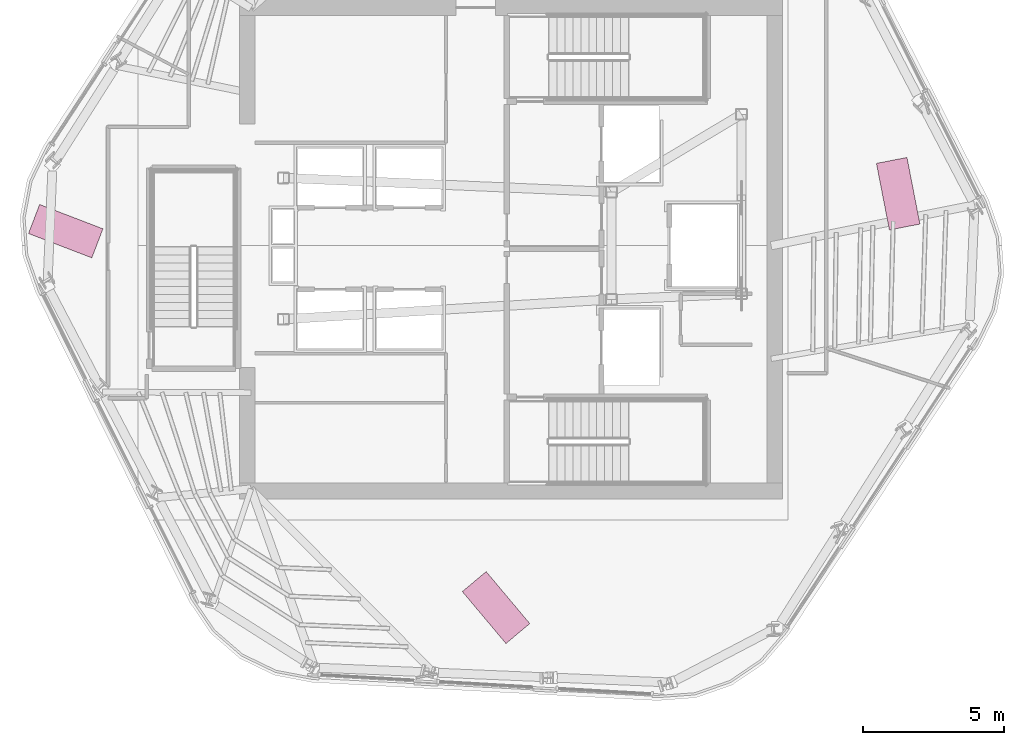
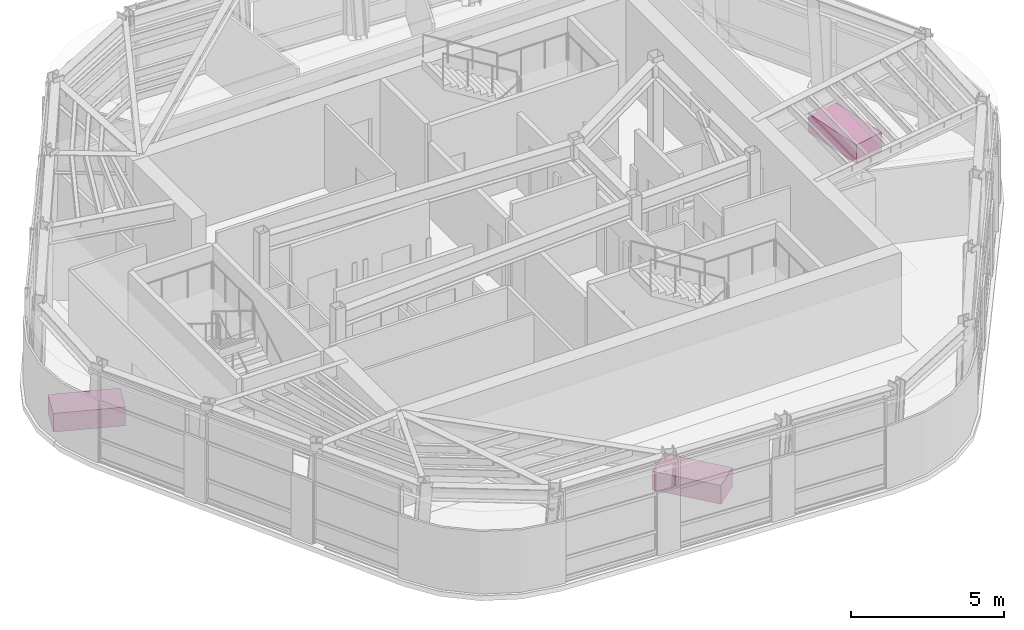
# One storey, part 13 of 13: 3 furniture elements.
"""IFC4 building model written with IfcOpenShell, lengths in metres."""

from ifc_helpers import new_model, si_unit, direction, frame, origin, origin_2d, place, context, subcontext, project, spatial, rectangle, extrude, material, type_object, element, save


model = new_model("IFC4")

# Units and contexts
model_context = context("Model", 3, precision=1e-05, world=origin(), true_north=direction((0.0, 1.0)))
body_context = subcontext(model_context, "Body", "Model", "MODEL_VIEW")
ifc_project = project(units=[si_unit("LENGTHUNIT", "METRE"), si_unit("AREAUNIT", "SQUARE_METRE"), si_unit("VOLUMEUNIT", "CUBIC_METRE"), si_unit("PLANEANGLEUNIT", "RADIAN"), si_unit("MASSUNIT", "GRAM", prefix="KILO")], contexts=[model_context])

# Site, building, storey
site_placement = place(None, origin())
site = spatial("IfcSite", under=ifc_project, at=site_placement, CompositionType="ELEMENT")
building_placement = place(site_placement, origin())
building = spatial("IfcBuilding", under=site, at=building_placement, Name="Valkerne Bourse Tower", CompositionType="ELEMENT")
storey_placement = place(building_placement, frame((0.0, 0.0, 269.800048828125)))
storey = spatial("IfcBuildingStorey", under=building, at=storey_placement, Name="L68", CompositionType="ELEMENT", Elevation=269.800048828125)

# Furniture
ifc_material = material(Name="Architectural White Oak Timber", Category="wood")
furniture_type = type_object("IfcFurnitureType", Name="FURN-DESK-2400", AssemblyPlace="NOTDEFINED", PredefinedType="DESK", material=ifc_material)
for number, where, z_axis, x_axis, name in (
    (1, (60.493896484375, 28.839111328125, 0.044921875), (0.0, 0.0, 1.0), (-0.190808995377, 0.981627183448, 0.0), "L68 Suite Worktable 05"),
    (2, (46.27099609375, 14.201904296875, 0.044921875), (0.0, 0.0, 1.0), (-0.642787609687, 0.766044443119, 0.0), "L68 Suite Worktable 06"),
    (3, (31.050048828125, 27.514892578125, 0.044921875), (0.0, 0.0, 1.0), (-0.933580426497, 0.358367949545, 0.0), "L68 Suite Worktable 07"),
):
    element("IfcFurniture", number, at=place(storey_placement, frame(where, z_axis=z_axis, x_axis=x_axis)), inside=storey, type_object=furniture_type, Name=name, PredefinedType="DESK", context=body_context, shape_type="SweptSolid", body=[
        extrude(rectangle(XDim=2.39990234375, YDim=1.10009765625, at=origin_2d()), origin(), (0.0, 0.0, 1.0), 0.75),
    ])

save(model, "model.ifc")
